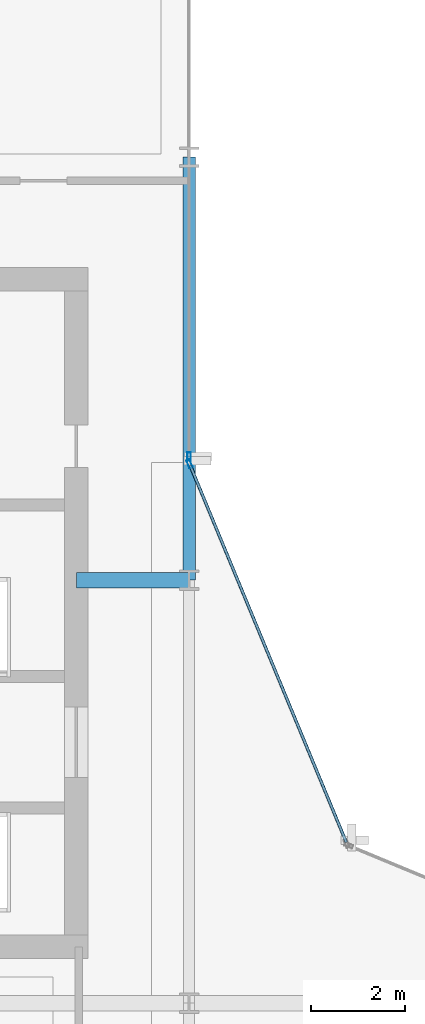
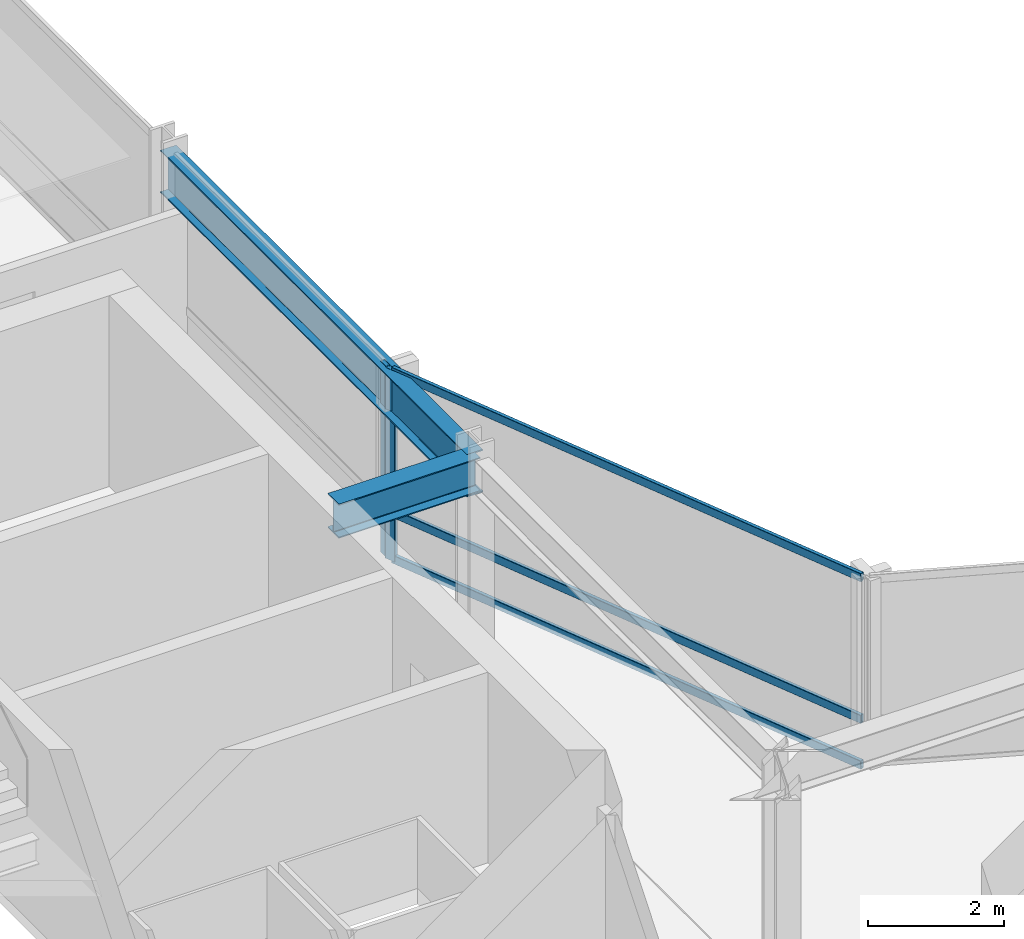
# One storey, part 17 of 29: 5 members, 2 beams, 2 elements without a shape of their own.
"""IFC4 building model written with IfcOpenShell, lengths in metres."""

from ifc_helpers import new_model, si_unit, direction, frame, origin, origin_2d, place, context, subcontext, project, spatial, hollow_rectangle, i_section, extrude, material, layer, layer_set, material_profile, profile_set, type_object, element, aggregate, save


model = new_model("IFC4")

# Units and contexts
model_context = context("Model", 3, precision=1e-05, world=origin(), true_north=direction((0.0, 1.0)))
body_context = subcontext(model_context, "Body", "Model", "MODEL_VIEW")
ifc_project = project(units=[si_unit("LENGTHUNIT", "METRE"), si_unit("AREAUNIT", "SQUARE_METRE"), si_unit("VOLUMEUNIT", "CUBIC_METRE"), si_unit("PLANEANGLEUNIT", "RADIAN"), si_unit("MASSUNIT", "GRAM", prefix="KILO")], contexts=[model_context])

# Site, building, storey
site_placement = place(None, origin())
site = spatial("IfcSite", under=ifc_project, at=site_placement, CompositionType="ELEMENT")
building_placement = place(site_placement, origin())
building = spatial("IfcBuilding", under=site, at=building_placement, Name="Solvaryn Broadcast Tower", CompositionType="ELEMENT")
storey_placement = place(building_placement, frame((0.0, 0.0, 147.0)))
storey = spatial("IfcBuildingStorey", under=building, at=storey_placement, Name="L36", CompositionType="ELEMENT", Elevation=147.0)

# Beams
ifc_material_1 = material(Name="Steel ASTM A992 Grade 50", Category="steel")
ifc_material_profile_1 = material_profile(ifc_material_1, i_section(OverallWidth=0.323974609375, OverallDepth=0.611083984375, WebThickness=0.0126953125, FlangeThickness=0.01904296875, FilletRadius=0.014892578125, at=origin_2d()))
ifc_profile_set_1 = profile_set([ifc_material_profile_1], Name="Steel ASTM A992 Grade 50")
beam_type_1 = type_object("IfcBeamType", Name="BM-B1-W24X104", PredefinedType="BEAM", material=ifc_profile_set_1)
beam_1_placement = place(storey_placement, frame((24.60009765625, 36.0, 3.114501953125), z_axis=(1.0, 0.0, 0.0), x_axis=(0.0, 1.0, 0.0)))
element("IfcBeam", 1, at=beam_1_placement, inside=storey, type_object=beam_type_1, Name="L36 Core Tie Beam CTW2", PredefinedType="BEAM", context=body_context, shape_type="SweptSolid", body=[
    extrude(i_section(OverallWidth=0.323974609375, OverallDepth=0.611083984375, WebThickness=0.0126953125, FlangeThickness=0.01904296875, FilletRadius=0.014892578125, at=origin_2d()), origin(), (0.0, 0.0, 1.0), 2.39990234375),
])
ifc_material_2 = material(Name="Steel ASTM A992 Grade 50", Category="steel")
ifc_material_profile_2 = material_profile(ifc_material_2, i_section(OverallWidth=0.26708984375, OverallDepth=0.76611328125, WebThickness=0.014892578125, FlangeThickness=0.023681640625, FilletRadius=0.01806640625, at=origin_2d()))
ifc_profile_set_2 = profile_set([ifc_material_profile_2], Name="Steel ASTM A992 Grade 50")
beam_type_2 = type_object("IfcBeamType", Name="BM-SP2-W30X124", PredefinedType="USERDEFINED", material=ifc_profile_set_2)
beam_2_placement = place(storey_placement, frame((27.0, 36.0, 3.037109375), z_axis=(0.0, 1.0, 0.0), x_axis=(-1.0, 0.0, 0.0)))
element("IfcBeam", 2, at=beam_2_placement, inside=storey, type_object=beam_type_2, Name="L36 Spandrel Beam Y (36-45 @ X=27)", ObjectType="SPANDREL", PredefinedType="USERDEFINED", context=body_context, shape_type="SweptSolid", body=[
    extrude(i_section(OverallWidth=0.26708984375, OverallDepth=0.76611328125, WebThickness=0.014892578125, FlangeThickness=0.023681640625, FilletRadius=0.01806640625, at=origin_2d()), origin(), (0.0, 0.0, 1.0), 9.0),
])

# Curtain wall, member
ifc_material_3 = material(Name="Aluminium and Terracotta Unitised Curtain Wall", Category="masonry")
ifc_layer = layer(ifc_material_3, 0.199951171875)
ifc_layer_set = layer_set([ifc_layer], Name="CW-SYS2-LOWMID")
curtain_wall_type = type_object("IfcCurtainWallType", Name="CW-SYS2-LOWMID", PredefinedType="NOTDEFINED", material=ifc_layer_set)
curtain_wall_1_placement = place(storey_placement, origin())
curtain_wall_1 = element("IfcCurtainWall", 3, at=curtain_wall_1_placement, inside=storey, type_object=curtain_wall_type, Name="L36 Curtain Wall IV", PredefinedType="NOTDEFINED")
ifc_material_4 = material(Name="Anodised Aluminium 6063-T6", Category="aluminium")
ifc_material_profile_3 = material_profile(ifc_material_4, hollow_rectangle(XDim=0.074951171875, YDim=0.179931640625, WallThickness=0.00390625, InnerFilletRadius=0.00390625, OuterFilletRadius=0.008056640625, at=origin_2d()))
ifc_profile_set_3 = profile_set([ifc_material_profile_3], Name="Anodised Aluminium 6063-T6")
member_type_1 = type_object("IfcMemberType", Name="CW-MUL-180", PredefinedType="MULLION", material=ifc_profile_set_3)
member_1_placement = place(storey_placement, frame((27.0, 38.6298828125, 0.0), z_axis=(0.0, 0.0, 1.0), x_axis=(1.0, 0.0, 0.0)))
member_1 = element("IfcMember", 4, at=member_1_placement, type_object=member_type_1, Name="CWS2 mullion 2", PredefinedType="MULLION", context=body_context, shape_type="SweptSolid", body=[
    extrude(hollow_rectangle(XDim=0.074951171875, YDim=0.179931640625, WallThickness=0.00390625, InnerFilletRadius=0.00390625, OuterFilletRadius=0.008056640625, at=origin_2d()), origin(), (0.0, 0.0, 1.0), 3.419921875),
])
aggregate(curtain_wall_1, [member_1])

# Curtain wall, members
curtain_wall_2_placement = place(storey_placement, origin())
curtain_wall_2 = element("IfcCurtainWall", 5, at=curtain_wall_2_placement, inside=storey, type_object=curtain_wall_type, Name="L36 Curtain Wall CN2", PredefinedType="NOTDEFINED")
member_2_placement = place(storey_placement, frame((27.011474609375, 38.47216796875, 0.0), z_axis=(0.0, 0.0, 1.0), x_axis=(-0.923894983957, -0.382646127145, 0.0)))
member_2 = element("IfcMember", 6, at=member_2_placement, type_object=member_type_1, Name="CWS2 mullion 2", PredefinedType="MULLION", context=body_context, shape_type="SweptSolid", body=[
    extrude(hollow_rectangle(XDim=0.074951171875, YDim=0.179931640625, WallThickness=0.00390625, InnerFilletRadius=0.00390625, OuterFilletRadius=0.008056640625, at=origin_2d()), origin(), (0.0, 0.0, 1.0), 3.419921875),
])
ifc_material_5 = material(Name="Anodised Aluminium 6063-T6", Category="aluminium")
ifc_material_profile_4 = material_profile(ifc_material_5, hollow_rectangle(XDim=0.06494140625, YDim=0.14990234375, WallThickness=0.00390625, InnerFilletRadius=0.00390625, OuterFilletRadius=0.008056640625, at=origin_2d()))
ifc_profile_set_4 = profile_set([ifc_material_profile_4], Name="Anodised Aluminium 6063-T6")
member_type_2 = type_object("IfcMemberType", Name="CW-TRN-150", PredefinedType="USERDEFINED", material=ifc_profile_set_4)
member_3_placement = place(storey_placement, frame((30.344970703125, 30.42333984375, 0.030029296875), z_axis=(-0.382635748975, 0.923899282177, 0.0), x_axis=(-0.923899282177, -0.382635748975, 0.0)))
member_3 = element("IfcMember", 7, at=member_3_placement, type_object=member_type_2, Name="CWS2 transom 1.1", ObjectType="TRANSOM", PredefinedType="USERDEFINED", context=body_context, shape_type="SweptSolid", body=[
    extrude(hollow_rectangle(XDim=0.06494140625, YDim=0.14990234375, WallThickness=0.00390625, InnerFilletRadius=0.00390625, OuterFilletRadius=0.008056640625, at=origin_2d()), origin(), (0.0, 0.0, 1.0), 8.681884765625),
])
member_4_placement = place(storey_placement, frame((30.344970703125, 30.42333984375, 0.85009765625), z_axis=(-0.382635748975, 0.923899282177, 0.0), x_axis=(-0.923899282177, -0.382635748975, 0.0)))
member_4 = element("IfcMember", 8, at=member_4_placement, type_object=member_type_2, Name="CWS2 transom 1.2", ObjectType="TRANSOM", PredefinedType="USERDEFINED", context=body_context, shape_type="SweptSolid", body=[
    extrude(hollow_rectangle(XDim=0.06494140625, YDim=0.14990234375, WallThickness=0.00390625, InnerFilletRadius=0.00390625, OuterFilletRadius=0.008056640625, at=origin_2d()), origin(), (0.0, 0.0, 1.0), 8.681884765625),
])
member_5_placement = place(storey_placement, frame((30.344970703125, 30.42333984375, 3.389892578125), z_axis=(-0.382635748975, 0.923899282177, 0.0), x_axis=(-0.923899282177, -0.382635748975, 0.0)))
member_5 = element("IfcMember", 9, at=member_5_placement, type_object=member_type_2, Name="CWS2 transom 1.3", ObjectType="TRANSOM", PredefinedType="USERDEFINED", context=body_context, shape_type="SweptSolid", body=[
    extrude(hollow_rectangle(XDim=0.06494140625, YDim=0.14990234375, WallThickness=0.00390625, InnerFilletRadius=0.00390625, OuterFilletRadius=0.008056640625, at=origin_2d()), origin(), (0.0, 0.0, 1.0), 8.681884765625),
])
aggregate(curtain_wall_2, [member_2, member_3, member_4, member_5])

save(model, "model.ifc")
